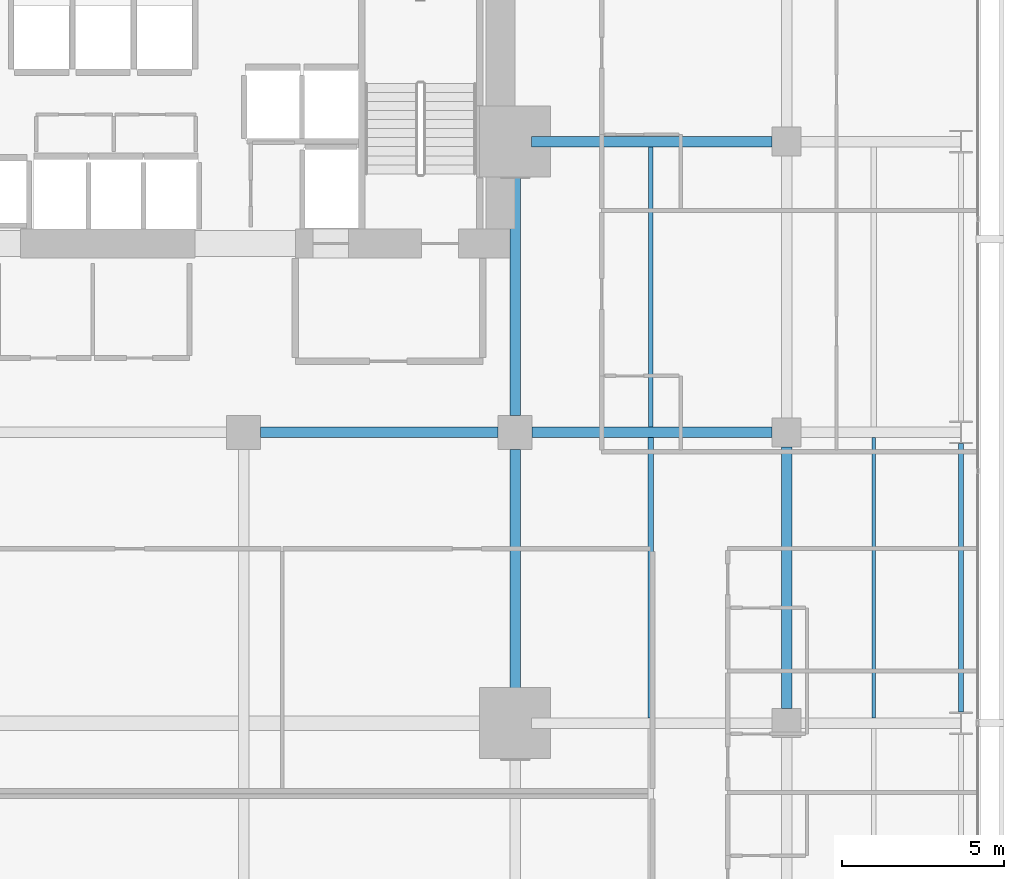
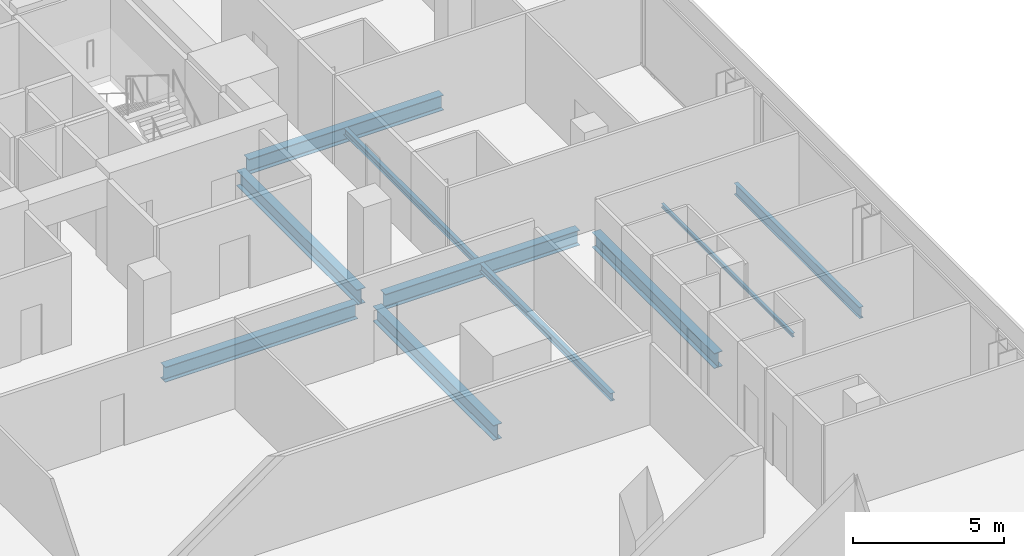
# One storey, part 27 of 40: 10 beams.
"""IFC4 building model written with IfcOpenShell, lengths in metres."""

from ifc_helpers import new_model, si_unit, direction, frame, origin, origin_2d, place, context, subcontext, project, spatial, i_section, extrude, material, material_profile, profile_set, type_object, element, save


model = new_model("IFC4")

# Units and contexts
model_context = context("Model", 3, precision=1e-05, world=origin(), true_north=direction((0.0, 1.0)))
body_context = subcontext(model_context, "Body", "Model", "MODEL_VIEW")
ifc_project = project(units=[si_unit("LENGTHUNIT", "METRE"), si_unit("AREAUNIT", "SQUARE_METRE"), si_unit("VOLUMEUNIT", "CUBIC_METRE"), si_unit("PLANEANGLEUNIT", "RADIAN"), si_unit("MASSUNIT", "GRAM", prefix="KILO")], contexts=[model_context])

# Site, building, storey
site_placement = place(None, origin())
site = spatial("IfcSite", under=ifc_project, at=site_placement, CompositionType="ELEMENT")
building_placement = place(site_placement, origin())
building = spatial("IfcBuilding", under=site, at=building_placement, Name="Maruvema Waterfront Hotel and Observation Tower", CompositionType="ELEMENT")
storey_placement = place(building_placement, frame((0.0, 0.0, 107.800048828125)))
storey = spatial("IfcBuildingStorey", under=building, at=storey_placement, Name="L26", CompositionType="ELEMENT", Elevation=107.800048828125)

# Beams
ifc_material_1 = material(Name="Steel ASTM A572 Grade 50", Category="steel")
ifc_material_profile_1 = material_profile(ifc_material_1, i_section(OverallWidth=0.153076171875, OverallDepth=0.455078125, WebThickness=0.008056640625, FlangeThickness=0.01318359375, FilletRadius=0.014892578125, at=origin_2d()), Name="W460x60.0")
ifc_profile_set_1 = profile_set([ifc_material_profile_1], Name="Steel ASTM A572 Grade 50")
beam_type_1 = type_object("IfcBeamType", Name="Perimeter Spandrel Beam W460x60.0", PredefinedType="SPANDREL", material=ifc_profile_set_1)
beam_1_placement = place(storey_placement, frame((64.199951171875, 27.35009765625, -0.467529296875), z_axis=(0.0, 1.0, 0.0), x_axis=(-1.0, 0.0, 0.0)))
element("IfcBeam", 1, at=beam_1_placement, inside=storey, type_object=beam_type_1, Name="L26 Floor Girder NS-35", PredefinedType="SPANDREL", context=body_context, shape_type="SweptSolid", body=[
    extrude(i_section(OverallWidth=0.153076171875, OverallDepth=0.455078125, WebThickness=0.008056640625, FlangeThickness=0.01318359375, FilletRadius=0.014892578125, at=origin_2d()), origin(), (0.0, 0.0, 1.0), 8.2998046875),
])
ifc_material_2 = material(Name="Steel ASTM A572 Grade 50", Category="steel")
ifc_material_profile_2 = material_profile(ifc_material_2, i_section(OverallWidth=0.323974609375, OverallDepth=0.611083984375, WebThickness=0.0126953125, FlangeThickness=0.01904296875, FilletRadius=0.01806640625, at=origin_2d()), Name="W610x155.0")
ifc_profile_set_2 = profile_set([ifc_material_profile_2], Name="Steel ASTM A572 Grade 50")
beam_type_2 = type_object("IfcBeamType", Name="Primary Floor Girder W610x155.0", PredefinedType="BEAM", material=ifc_profile_set_2)
beam_2_placement = place(storey_placement, frame((42.52490234375, 36.0, -0.545654296875), z_axis=(1.0, 0.0, 0.0), x_axis=(0.0, 1.0, 0.0)))
element("IfcBeam", 2, at=beam_2_placement, inside=storey, type_object=beam_type_2, Name="L26 Floor Girder EW-29", PredefinedType="BEAM", context=body_context, shape_type="SweptSolid", body=[
    extrude(i_section(OverallWidth=0.323974609375, OverallDepth=0.611083984375, WebThickness=0.0126953125, FlangeThickness=0.01904296875, FilletRadius=0.01806640625, at=origin_2d()), origin(), (0.0, 0.0, 1.0), 7.35009765625),
])
beam_3_placement = place(storey_placement, frame((50.925048828125, 36.0, -0.545654296875), z_axis=(1.0, 0.0, 0.0), x_axis=(0.0, 1.0, 0.0)))
element("IfcBeam", 3, at=beam_3_placement, inside=storey, type_object=beam_type_2, Name="L26 Floor Girder EW-30", PredefinedType="BEAM", context=body_context, shape_type="SweptSolid", body=[
    extrude(i_section(OverallWidth=0.323974609375, OverallDepth=0.611083984375, WebThickness=0.0126953125, FlangeThickness=0.01904296875, FilletRadius=0.01806640625, at=origin_2d()), origin(), (0.0, 0.0, 1.0), 7.425048828125),
])
beam_4_placement = place(storey_placement, frame((50.89990234375, 45.0, -0.545654296875), z_axis=(1.0, 0.0, 0.0), x_axis=(0.0, 1.0, 0.0)))
element("IfcBeam", 4, at=beam_4_placement, inside=storey, type_object=beam_type_2, Name="L26 Floor Girder EW-34", PredefinedType="BEAM", context=body_context, shape_type="SweptSolid", body=[
    extrude(i_section(OverallWidth=0.323974609375, OverallDepth=0.611083984375, WebThickness=0.0126953125, FlangeThickness=0.01904296875, FilletRadius=0.01806640625, at=origin_2d()), origin(), (0.0, 0.0, 1.0), 7.4501953125),
])
for number, where, z_axis, x_axis, name in (
    (5, (50.39990234375, 27.5, -0.545654296875), (0.0, 1.0, 0.0), (-1.0, 0.0, 0.0), "L26 Floor Girder NS-25"),
    (6, (50.39990234375, 36.52490234375, -0.545654296875), (0.0, 1.0, 0.0), (-1.0, 0.0, 0.0), "L26 Floor Girder NS-26"),
):
    element("IfcBeam", number, at=place(storey_placement, frame(where, z_axis=z_axis, x_axis=x_axis)), inside=storey, type_object=beam_type_2, Name=name, PredefinedType="BEAM", context=body_context, shape_type="SweptSolid", body=[
        extrude(i_section(OverallWidth=0.323974609375, OverallDepth=0.611083984375, WebThickness=0.0126953125, FlangeThickness=0.01904296875, FilletRadius=0.01806640625, at=origin_2d()), origin(), (0.0, 0.0, 1.0), 7.97509765625),
    ])
beam_5_placement = place(storey_placement, frame((58.800048828125, 27.449951171875, -0.545654296875), z_axis=(0.0, 1.0, 0.0), x_axis=(-1.0, 0.0, 0.0)))
element("IfcBeam", 7, at=beam_5_placement, inside=storey, type_object=beam_type_2, Name="L26 Floor Girder NS-30", PredefinedType="BEAM", context=body_context, shape_type="SweptSolid", body=[
    extrude(i_section(OverallWidth=0.323974609375, OverallDepth=0.611083984375, WebThickness=0.0126953125, FlangeThickness=0.01904296875, FilletRadius=0.01806640625, at=origin_2d()), origin(), (0.0, 0.0, 1.0), 8.10009765625),
])
ifc_material_3 = material(Name="Steel ASTM A572 Grade 50", Category="steel")
ifc_material_profile_3 = material_profile(ifc_material_3, i_section(OverallWidth=0.10009765625, OverallDepth=0.153076171875, WebThickness=0.005859375, FlangeThickness=0.007080078125, FilletRadius=0.008056640625, at=origin_2d()), Name="W150x18.0")
ifc_profile_set_3 = profile_set([ifc_material_profile_3], Name="Steel ASTM A572 Grade 50")
beam_type_3 = type_object("IfcBeamType", Name="Secondary Floor Joist W150x18.0", PredefinedType="JOIST", material=ifc_profile_set_3)
beam_6_placement = place(storey_placement, frame((61.5, 27.162109375, -0.316650390625), z_axis=(0.0, 1.0, 0.0), x_axis=(-1.0, 0.0, 0.0)))
element("IfcBeam", 8, at=beam_6_placement, inside=storey, type_object=beam_type_3, Name="L26 Secondary Floor Joist JS-23", PredefinedType="JOIST", context=body_context, shape_type="SweptSolid", body=[
    extrude(i_section(OverallWidth=0.10009765625, OverallDepth=0.153076171875, WebThickness=0.005859375, FlangeThickness=0.007080078125, FilletRadius=0.008056640625, at=origin_2d()), origin(), (0.0, 0.0, 1.0), 8.67578125),
])
ifc_material_4 = material(Name="Steel ASTM A572 Grade 50", Category="steel")
ifc_material_profile_4 = material_profile(ifc_material_4, i_section(OverallWidth=0.14794921875, OverallDepth=0.26611328125, WebThickness=0.007568359375, FlangeThickness=0.012939453125, FilletRadius=0.012939453125, at=origin_2d()), Name="W250x44.8")
ifc_profile_set_4 = profile_set([ifc_material_profile_4], Name="Steel ASTM A572 Grade 50")
beam_type_4 = type_object("IfcBeamType", Name="Secondary Floor Joist W250x44.8", PredefinedType="JOIST", material=ifc_profile_set_4)
beam_7_placement = place(storey_placement, frame((54.60009765625, 36.162109375, -0.373046875), z_axis=(0.0, 1.0, 0.0), x_axis=(-1.0, 0.0, 0.0)))
element("IfcBeam", 9, at=beam_7_placement, inside=storey, type_object=beam_type_4, Name="L26 Secondary Floor Joist JS-20", PredefinedType="JOIST", context=body_context, shape_type="SweptSolid", body=[
    extrude(i_section(OverallWidth=0.14794921875, OverallDepth=0.26611328125, WebThickness=0.007568359375, FlangeThickness=0.012939453125, FilletRadius=0.012939453125, at=origin_2d()), origin(), (0.0, 0.0, 1.0), 8.67578125),
])
ifc_material_5 = material(Name="Steel ASTM A572 Grade 50", Category="steel")
ifc_material_profile_5 = material_profile(ifc_material_5, i_section(OverallWidth=0.1650390625, OverallDepth=0.31005859375, WebThickness=0.005859375, FlangeThickness=0.009765625, FilletRadius=0.012939453125, at=origin_2d()), Name="W310x38.7")
ifc_profile_set_5 = profile_set([ifc_material_profile_5], Name="Steel ASTM A572 Grade 50")
beam_type_5 = type_object("IfcBeamType", Name="Secondary Floor Joist W310x38.7", PredefinedType="JOIST", material=ifc_profile_set_5)
beam_8_placement = place(storey_placement, frame((54.60009765625, 27.162109375, -0.39501953125), z_axis=(0.0, 1.0, 0.0), x_axis=(-1.0, 0.0, 0.0)))
element("IfcBeam", 10, at=beam_8_placement, inside=storey, type_object=beam_type_5, Name="L26 Secondary Floor Joist JS-19", PredefinedType="JOIST", context=body_context, shape_type="SweptSolid", body=[
    extrude(i_section(OverallWidth=0.1650390625, OverallDepth=0.31005859375, WebThickness=0.005859375, FlangeThickness=0.009765625, FilletRadius=0.012939453125, at=origin_2d()), origin(), (0.0, 0.0, 1.0), 8.67578125),
])

save(model, "model.ifc")
